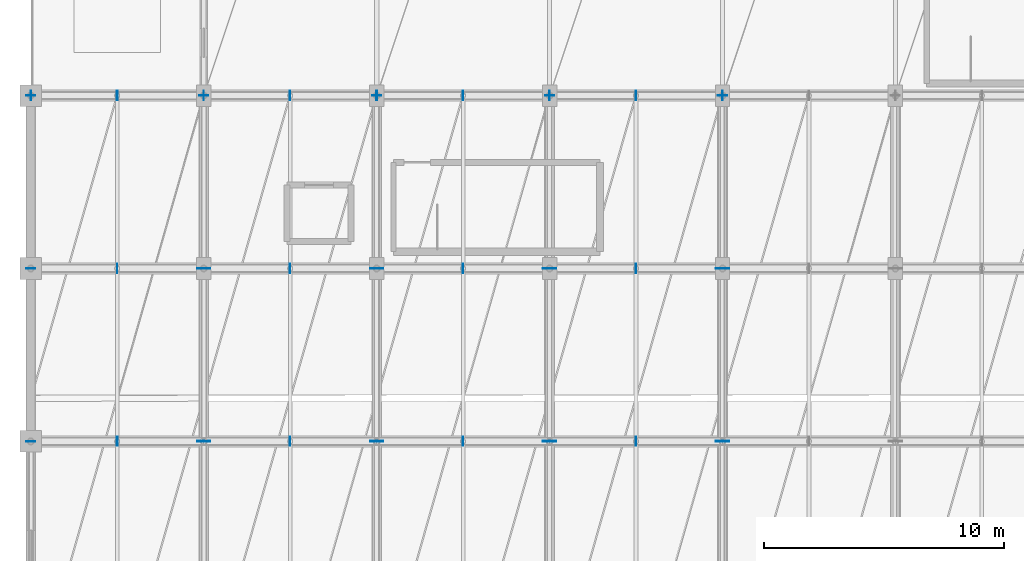
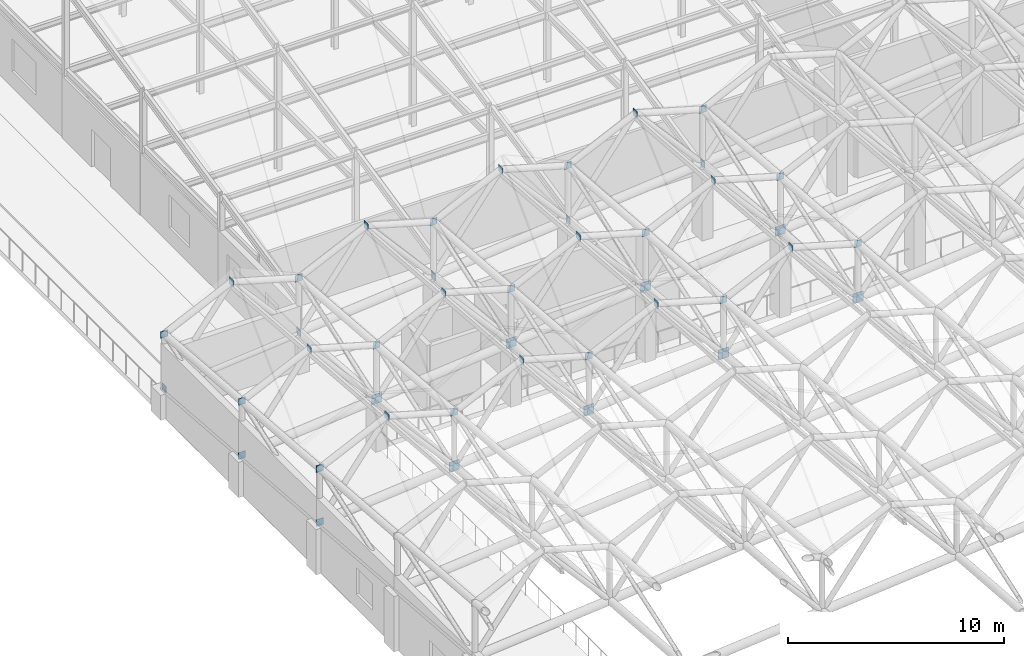
# One storey, part 81 of 113: 42 plates.
"""IFC4 building model written with IfcOpenShell, lengths in metres."""

from ifc_helpers import new_model, si_unit, direction, frame, origin, origin_2d, place, context, subcontext, project, spatial, rectangle, extrude, material, layer, layer_set, type_object, element, save


model = new_model("IFC4")

# Units and contexts
model_context = context("Model", 3, precision=1e-05, world=origin(), true_north=direction((0.0, 1.0)))
body_context = subcontext(model_context, "Body", "Model", "MODEL_VIEW")
ifc_project = project(units=[si_unit("LENGTHUNIT", "METRE"), si_unit("AREAUNIT", "SQUARE_METRE"), si_unit("VOLUMEUNIT", "CUBIC_METRE"), si_unit("PLANEANGLEUNIT", "RADIAN"), si_unit("MASSUNIT", "GRAM", prefix="KILO")], contexts=[model_context])

# Site, building, storey
site_placement = place(None, origin())
site = spatial("IfcSite", under=ifc_project, at=site_placement, CompositionType="ELEMENT")
building_placement = place(site_placement, origin())
building = spatial("IfcBuilding", under=site, at=building_placement, Name="Carrowvane Square Congress Hotel", CompositionType="ELEMENT")
storey_placement = place(building_placement, frame((0.0, 0.0, 15.0)))
storey = spatial("IfcBuildingStorey", under=building, at=storey_placement, Name="L03", CompositionType="ELEMENT", Elevation=15.0)

# Plates
ifc_material_1 = material(Name="Steel S355", Category="steel")
ifc_layer_1 = layer(ifc_material_1, 0.02001953125)
ifc_layer_set_1 = layer_set([ifc_layer_1], Name="Steel S355")
plate_type_1 = type_object("IfcPlateType", Name="PLT-GUS-20", PredefinedType="SHEET", material=ifc_layer_set_1)
for number, where, z_axis, x_axis, name in (
    (1, (18.800048828125, 48.60009765625, 2.37353515625), (0.0, 0.0, 1.0), (1.0, 0.0, 0.0), "Space-frame truss node gusset SN-06"),
    (2, (26.0, 48.60009765625, 3.03076171875), (0.0, 0.0, 1.0), (1.0, 0.0, 0.0), "Space-frame truss node gusset SN-12"),
    (3, (33.199951171875, 48.60009765625, 3.68798828125), (0.0, 0.0, 1.0), (1.0, 0.0, 0.0), "Space-frame truss node gusset SN-18"),
    (4, (40.39990234375, 48.60009765625, 4.34521484375), (0.0, 0.0, 1.0), (1.0, 0.0, 0.0), "Space-frame truss node gusset SN-24"),
):
    element("IfcPlate", number, at=place(storey_placement, frame(where, z_axis=z_axis, x_axis=x_axis)), inside=storey, type_object=plate_type_1, Name=name, PredefinedType="SHEET", context=body_context, shape_type="SweptSolid", body=[
        extrude(rectangle(XDim=0.550048828125, YDim=0.02001953125, at=origin_2d()), origin(), (0.0, 0.0, 1.0), 0.550048828125),
    ])
for number, where, z_axis, x_axis, name in (
    (5, (11.60009765625, 48.60009765625, 4.8515625), (0.0, 0.0, 1.0), (1.0, 0.0, 0.0), "L03 brace connection end plate 12"),
    (6, (18.800048828125, 48.60009765625, 5.508544921875), (0.0, 0.0, 1.0), (1.0, 0.0, 0.0), "L03 brace connection end plate 21"),
    (7, (26.0, 55.800048828125, 5.59423828125), (0.0, 0.0, 1.0), (1.0, 0.0, 0.0), "L03 brace connection end plate 30"),
    (8, (33.199951171875, 41.39990234375, 7.394287109375), (0.0, 0.0, 1.0), (1.0, 0.0, 0.0), "L03 brace connection end plate 36"),
    (9, (40.39990234375, 48.60009765625, 7.47998046875), (0.0, 0.0, 1.0), (1.0, 0.0, 0.0), "L03 brace connection end plate 45"),
):
    element("IfcPlate", number, at=place(storey_placement, frame(where, z_axis=z_axis, x_axis=x_axis)), inside=storey, type_object=plate_type_1, Name=name, PredefinedType="SHEET", context=body_context, shape_type="SweptSolid", body=[
        extrude(rectangle(XDim=0.3798828125, YDim=0.02001953125, at=origin_2d()), origin(), (0.0, 0.0, 1.0), 0.3798828125),
    ])
for number, where, z_axis, x_axis, name in (
    (10, (29.60009765625, 41.39990234375, 8.42578125), (0.0, 0.0, 1.0), (1.0, 0.0, 0.0), "L03 brace connection end plate 114"),
    (11, (22.39990234375, 48.60009765625, 7.197265625), (0.0, 0.0, 1.0), (1.0, 0.0, 0.0), "L03 brace connection end plate 120"),
    (12, (11.60009765625, 55.800048828125, 1.22998046875), (0.0, 0.0, 1.0), (1.0, 0.0, 0.0), "L03 brace connection end plate 126"),
    (13, (22.39990234375, 55.800048828125, 6.625732421875), (0.0, 0.0, 1.0), (1.0, 0.0, 0.0), "L03 brace connection end plate 129"),
    (14, (33.199951171875, 55.800048828125, 3.201416015625), (0.0, 0.0, 1.0), (1.0, 0.0, 0.0), "L03 brace connection end plate 132"),
):
    element("IfcPlate", number, at=place(storey_placement, frame(where, z_axis=z_axis, x_axis=x_axis)), inside=storey, type_object=plate_type_1, Name=name, PredefinedType="SHEET", context=body_context, shape_type="SweptSolid", body=[
        extrude(rectangle(XDim=0.02001953125, YDim=0.3798828125, at=origin_2d()), origin(), (0.0, 0.0, 1.0), 0.3798828125),
    ])
ifc_material_2 = material(Name="Steel S355", Category="steel")
ifc_layer_2 = layer(ifc_material_2, 0.030029296875)
ifc_layer_set_2 = layer_set([ifc_layer_2], Name="Steel S355")
plate_type_2 = type_object("IfcPlateType", Name="PLT-GUS-30", PredefinedType="USERDEFINED", material=ifc_layer_set_2)
for number, where, z_axis, x_axis, name in (
    (15, (11.60009765625, 41.39990234375, 5.4228515625), (0.0, 0.0, 1.0), (1.0, 0.0, 0.0), "L03 brace connection end plate 10"),
    (16, (11.60009765625, 48.60009765625, 1.801513671875), (0.0, 0.0, 1.0), (1.0, 0.0, 0.0), "L03 brace connection end plate 13"),
    (17, (18.800048828125, 55.800048828125, 4.937255859375), (0.0, 0.0, 1.0), (1.0, 0.0, 0.0), "L03 brace connection end plate 22"),
    (18, (26.0, 41.39990234375, 6.737060546875), (0.0, 0.0, 1.0), (1.0, 0.0, 0.0), "L03 brace connection end plate 28"),
    (19, (33.199951171875, 48.60009765625, 6.822998046875), (0.0, 0.0, 1.0), (1.0, 0.0, 0.0), "L03 brace connection end plate 37"),
    (20, (40.39990234375, 55.800048828125, 6.90869140625), (0.0, 0.0, 1.0), (1.0, 0.0, 0.0), "L03 brace connection end plate 46"),
):
    element("IfcPlate", number, at=place(storey_placement, frame(where, z_axis=z_axis, x_axis=x_axis)), inside=storey, type_object=plate_type_2, Name=name, ObjectType="GUSSET PLATE", PredefinedType="USERDEFINED", context=body_context, shape_type="SweptSolid", body=[
        extrude(rectangle(XDim=0.3798828125, YDim=0.030029296875, at=origin_2d()), origin(), (0.0, 0.0, 1.0), 0.3798828125),
    ])
for number, where, z_axis, x_axis, name in (
    (21, (15.199951171875, 41.39990234375, 7.111572265625), (0.0, 0.0, 1.0), (1.0, 0.0, 0.0), "L03 brace connection end plate 112"),
    (22, (36.800048828125, 41.39990234375, 9.0830078125), (0.0, 0.0, 1.0), (1.0, 0.0, 0.0), "L03 brace connection end plate 115"),
    (23, (29.60009765625, 48.60009765625, 7.854248046875), (0.0, 0.0, 1.0), (1.0, 0.0, 0.0), "L03 brace connection end plate 121"),
    (24, (15.199951171875, 55.800048828125, 5.96875), (0.0, 0.0, 1.0), (1.0, 0.0, 0.0), "L03 brace connection end plate 127"),
    (25, (26.0, 55.800048828125, 2.54443359375), (0.0, 0.0, 1.0), (1.0, 0.0, 0.0), "L03 brace connection end plate 130"),
    (26, (36.800048828125, 55.800048828125, 7.93994140625), (0.0, 0.0, 1.0), (1.0, 0.0, 0.0), "L03 brace connection end plate 133"),
):
    element("IfcPlate", number, at=place(storey_placement, frame(where, z_axis=z_axis, x_axis=x_axis)), inside=storey, type_object=plate_type_2, Name=name, ObjectType="GUSSET PLATE", PredefinedType="USERDEFINED", context=body_context, shape_type="SweptSolid", body=[
        extrude(rectangle(XDim=0.030029296875, YDim=0.3798828125, at=origin_2d()), origin(), (0.0, 0.0, 1.0), 0.3798828125),
    ])
ifc_material_3 = material(Name="Steel S355", Category="steel")
ifc_layer_3 = layer(ifc_material_3, 0.0400390625)
ifc_layer_set_3 = layer_set([ifc_layer_3], Name="Steel S355")
plate_type_3 = type_object("IfcPlateType", Name="PLT-GUS-40", PredefinedType="USERDEFINED", material=ifc_layer_set_3)
for number, where, z_axis, x_axis, name in (
    (27, (18.800048828125, 41.39990234375, 2.94482421875), (0.0, 0.0, 1.0), (1.0, 0.0, 0.0), "Space-frame truss node gusset SN-05"),
    (28, (26.0, 41.39990234375, 3.60205078125), (0.0, 0.0, 1.0), (1.0, 0.0, 0.0), "Space-frame truss node gusset SN-11"),
    (29, (33.199951171875, 41.39990234375, 4.25927734375), (0.0, 0.0, 1.0), (1.0, 0.0, 0.0), "Space-frame truss node gusset SN-17"),
    (30, (40.39990234375, 41.39990234375, 4.91650390625), (0.0, 0.0, 1.0), (1.0, 0.0, 0.0), "Space-frame truss node gusset SN-23"),
):
    element("IfcPlate", number, at=place(storey_placement, frame(where, z_axis=z_axis, x_axis=x_axis)), inside=storey, type_object=plate_type_3, Name=name, ObjectType="GUSSET PLATE", PredefinedType="USERDEFINED", context=body_context, shape_type="SweptSolid", body=[
        extrude(rectangle(XDim=0.550048828125, YDim=0.0400390625, at=origin_2d()), origin(), (0.0, 0.0, 1.0), 0.550048828125),
    ])
ifc_material_4 = material(Name="Steel S355", Category="steel")
ifc_layer_4 = layer(ifc_material_4, 0.01611328125)
ifc_layer_set_4 = layer_set([ifc_layer_4], Name="Steel S355")
plate_type_4 = type_object("IfcPlateType", Name="PLT-STF-16", PredefinedType="USERDEFINED", material=ifc_layer_set_4)
for number, where, z_axis, x_axis, name in (
    (31, (11.60009765625, 41.39990234375, 2.373046875), (0.0, 0.0, 1.0), (1.0, 0.0, 0.0), "L03 brace connection end plate 11"),
    (32, (11.60009765625, 55.800048828125, 4.280029296875), (0.0, 0.0, 1.0), (1.0, 0.0, 0.0), "L03 brace connection end plate 14"),
    (33, (18.800048828125, 41.39990234375, 6.080078125), (0.0, 0.0, 1.0), (1.0, 0.0, 0.0), "L03 brace connection end plate 20"),
    (34, (26.0, 48.60009765625, 6.165771484375), (0.0, 0.0, 1.0), (1.0, 0.0, 0.0), "L03 brace connection end plate 29"),
    (35, (33.199951171875, 55.800048828125, 6.25146484375), (0.0, 0.0, 1.0), (1.0, 0.0, 0.0), "L03 brace connection end plate 38"),
    (36, (40.39990234375, 41.39990234375, 8.051513671875), (0.0, 0.0, 1.0), (1.0, 0.0, 0.0), "L03 brace connection end plate 44"),
):
    element("IfcPlate", number, at=place(storey_placement, frame(where, z_axis=z_axis, x_axis=x_axis)), inside=storey, type_object=plate_type_4, Name=name, ObjectType="STIFFENER PLATE", PredefinedType="USERDEFINED", context=body_context, shape_type="SweptSolid", body=[
        extrude(rectangle(XDim=0.3798828125, YDim=0.01611328125, at=origin_2d()), origin(), (0.0, 0.0, 1.0), 0.3798828125),
    ])
for number, where, z_axis, x_axis, name in (
    (37, (22.39990234375, 41.39990234375, 7.7685546875), (0.0, 0.0, 1.0), (1.0, 0.0, 0.0), "L03 brace connection end plate 113"),
    (38, (15.199951171875, 48.60009765625, 6.5400390625), (0.0, 0.0, 1.0), (1.0, 0.0, 0.0), "L03 brace connection end plate 119"),
    (39, (36.800048828125, 48.60009765625, 8.511474609375), (0.0, 0.0, 1.0), (1.0, 0.0, 0.0), "L03 brace connection end plate 122"),
    (40, (18.800048828125, 55.800048828125, 1.88720703125), (0.0, 0.0, 1.0), (1.0, 0.0, 0.0), "L03 brace connection end plate 128"),
    (41, (29.60009765625, 55.800048828125, 7.282958984375), (0.0, 0.0, 1.0), (1.0, 0.0, 0.0), "L03 brace connection end plate 131"),
    (42, (40.39990234375, 55.800048828125, 3.858642578125), (0.0, 0.0, 1.0), (1.0, 0.0, 0.0), "L03 brace connection end plate 134"),
):
    element("IfcPlate", number, at=place(storey_placement, frame(where, z_axis=z_axis, x_axis=x_axis)), inside=storey, type_object=plate_type_4, Name=name, ObjectType="STIFFENER PLATE", PredefinedType="USERDEFINED", context=body_context, shape_type="SweptSolid", body=[
        extrude(rectangle(XDim=0.01611328125, YDim=0.3798828125, at=origin_2d()), origin(), (0.0, 0.0, 1.0), 0.3798828125),
    ])

save(model, "model.ifc")
